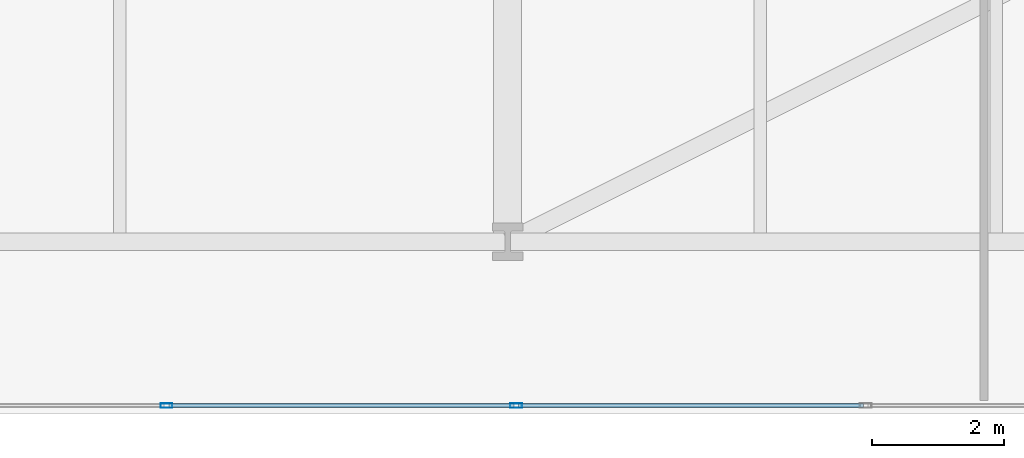
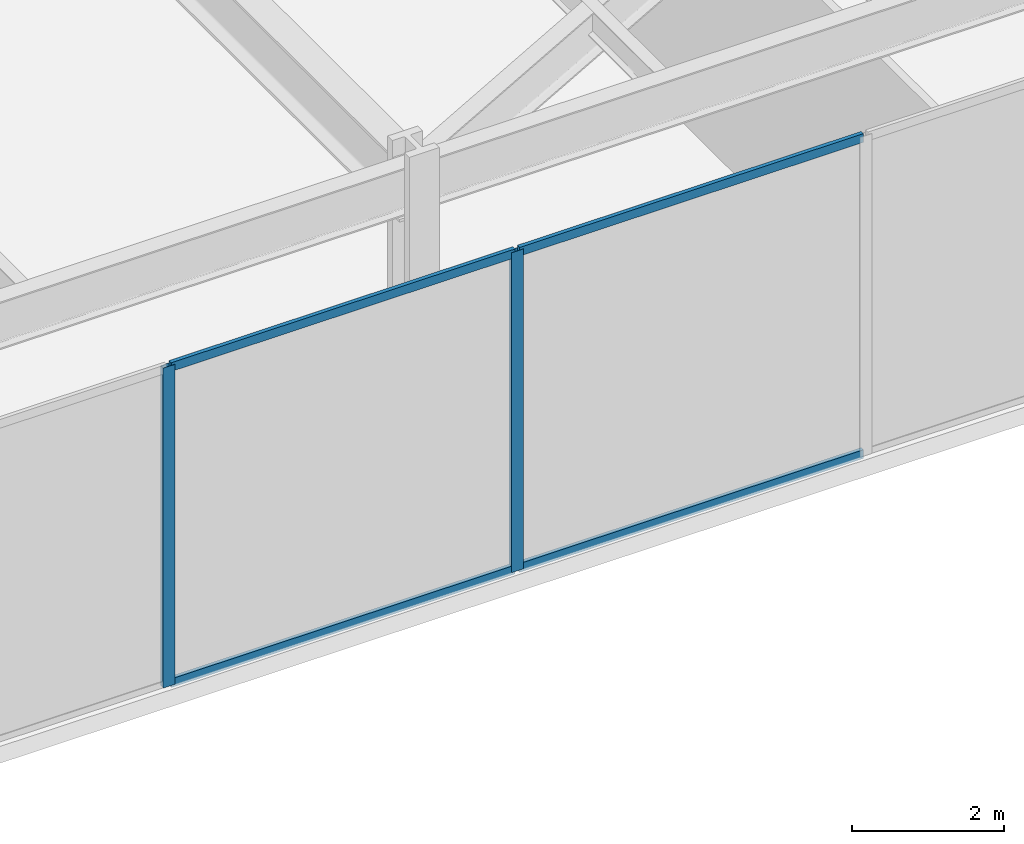
# One storey, part 14 of 29: 6 members, 1 element without a shape of its own.
"""IFC4 building model written with IfcOpenShell, lengths in metres."""

from ifc_helpers import new_model, si_unit, direction, frame, origin, origin_2d, place, context, subcontext, project, spatial, hollow_rectangle, extrude, material, layer, layer_set, material_profile, profile_set, type_object, element, aggregate, save


model = new_model("IFC4")

# Units and contexts
model_context = context("Model", 3, precision=1e-05, world=origin(), true_north=direction((0.0, 1.0)))
body_context = subcontext(model_context, "Body", "Model", "MODEL_VIEW")
ifc_project = project(units=[si_unit("LENGTHUNIT", "METRE"), si_unit("AREAUNIT", "SQUARE_METRE"), si_unit("VOLUMEUNIT", "CUBIC_METRE"), si_unit("PLANEANGLEUNIT", "RADIAN"), si_unit("MASSUNIT", "GRAM", prefix="KILO")], contexts=[model_context])

# Site, building, storey
site_placement = place(None, origin())
site = spatial("IfcSite", under=ifc_project, at=site_placement, CompositionType="ELEMENT")
building_placement = place(site_placement, origin())
building = spatial("IfcBuilding", under=site, at=building_placement, Name="Kravanh Interchange Tower", CompositionType="ELEMENT")
storey_placement = place(building_placement, frame((0.0, 0.0, 5.39990234375)))
storey = spatial("IfcBuildingStorey", under=building, at=storey_placement, Name="L01", CompositionType="ELEMENT", Elevation=5.39990234375)

# Curtain wall, members
ifc_material_1 = material(Name="Anodised Bronze Aluminium", Category="aluminium")
ifc_layer = layer(ifc_material_1, 0.179931640625)
ifc_layer_set = layer_set([ifc_layer], Name="Unitised Curtain Wall System CW-POD Podium Concourse")
curtain_wall_type = type_object("IfcCurtainWallType", Name="Unitised Curtain Wall System CW-POD Podium Concourse", PredefinedType="NOTDEFINED", material=ifc_layer_set)
curtain_wall_placement = place(storey_placement, origin())
curtain_wall = element("IfcCurtainWall", 1, at=curtain_wall_placement, inside=storey, type_object=curtain_wall_type, Name="L01 Unitised Curtain Wall CW-L01-04", PredefinedType="NOTDEFINED")
ifc_material_2 = material(Name="Anodised Bronze Aluminium", Category="aluminium")
ifc_material_profile_1 = material_profile(ifc_material_2, hollow_rectangle(XDim=0.070068359375, YDim=0.179931640625, WallThickness=0.00390625, at=origin_2d()), Name="ALU70X180X4")
ifc_profile_set_1 = profile_set([ifc_material_profile_1], Name="Anodised Bronze Aluminium")
member_type_1 = type_object("IfcMemberType", Name="Curtain Wall Mullion ALU70X180X4 Bronze", PredefinedType="MULLION", material=ifc_profile_set_1)
member_1_placement = place(storey_placement, frame((44.927001953125, 0.1201171875, 0.0), z_axis=(0.0, 0.0, 1.0), x_axis=(0.0, -1.0, 0.0)))
member_1 = element("IfcMember", 2, at=member_1_placement, type_object=member_type_1, Name="CW-POD mullion 6", PredefinedType="MULLION", context=body_context, shape_type="SweptSolid", body=[
    extrude(hollow_rectangle(XDim=0.070068359375, YDim=0.179931640625, WallThickness=0.00390625, at=origin_2d()), origin(), (0.0, 0.0, 1.0), 5.130126953125),
])
member_2_placement = place(storey_placement, frame((39.642333984375, 0.1201171875, 0.0), z_axis=(0.0, 0.0, 1.0), x_axis=(0.0, -1.0, 0.0)))
member_2 = element("IfcMember", 3, at=member_2_placement, type_object=member_type_1, Name="CW-POD mullion 7", PredefinedType="MULLION", context=body_context, shape_type="SweptSolid", body=[
    extrude(hollow_rectangle(XDim=0.070068359375, YDim=0.179931640625, WallThickness=0.00390625, at=origin_2d()), origin(), (0.0, 0.0, 1.0), 5.130126953125),
])
ifc_material_3 = material(Name="Anodised Bronze Aluminium", Category="aluminium")
ifc_material_profile_2 = material_profile(ifc_material_3, hollow_rectangle(XDim=0.06005859375, YDim=0.139892578125, WallThickness=0.00390625, at=origin_2d()), Name="ALU60X140X4")
ifc_profile_set_2 = profile_set([ifc_material_profile_2], Name="Anodised Bronze Aluminium")
member_type_2 = type_object("IfcMemberType", Name="Curtain Wall Transom ALU60X140X4 Bronze", PredefinedType="USERDEFINED", material=ifc_profile_set_2)
member_3_placement = place(storey_placement, frame((50.1767578125, 0.1201171875, 0.030029296875), z_axis=(-1.0, 0.0, 0.0), x_axis=(0.0, -1.0, 0.0)))
member_3 = element("IfcMember", 4, at=member_3_placement, type_object=member_type_2, Name="CW-POD transom 5.1", ObjectType="TRANSOM", PredefinedType="USERDEFINED", context=body_context, shape_type="SweptSolid", body=[
    extrude(hollow_rectangle(XDim=0.06005859375, YDim=0.139892578125, WallThickness=0.00390625, at=origin_2d()), origin(), (0.0, 0.0, 1.0), 5.21484375),
])
member_4_placement = place(storey_placement, frame((50.1767578125, 0.1201171875, 5.10009765625), z_axis=(-1.0, 0.0, 0.0), x_axis=(0.0, -1.0, 0.0)))
member_4 = element("IfcMember", 5, at=member_4_placement, type_object=member_type_2, Name="CW-POD transom 5.2", ObjectType="TRANSOM", PredefinedType="USERDEFINED", context=body_context, shape_type="SweptSolid", body=[
    extrude(hollow_rectangle(XDim=0.06005859375, YDim=0.139892578125, WallThickness=0.00390625, at=origin_2d()), origin(), (0.0, 0.0, 1.0), 5.21484375),
])
member_5_placement = place(storey_placement, frame((44.89208984375, 0.1201171875, 0.030029296875), z_axis=(-1.0, 0.0, 0.0), x_axis=(0.0, -1.0, 0.0)))
member_5 = element("IfcMember", 6, at=member_5_placement, type_object=member_type_2, Name="CW-POD transom 6.1", ObjectType="TRANSOM", PredefinedType="USERDEFINED", context=body_context, shape_type="SweptSolid", body=[
    extrude(hollow_rectangle(XDim=0.06005859375, YDim=0.139892578125, WallThickness=0.00390625, at=origin_2d()), origin(), (0.0, 0.0, 1.0), 5.21484375),
])
member_6_placement = place(storey_placement, frame((44.89208984375, 0.1201171875, 5.10009765625), z_axis=(-1.0, 0.0, 0.0), x_axis=(0.0, -1.0, 0.0)))
member_6 = element("IfcMember", 7, at=member_6_placement, type_object=member_type_2, Name="CW-POD transom 6.2", ObjectType="TRANSOM", PredefinedType="USERDEFINED", context=body_context, shape_type="SweptSolid", body=[
    extrude(hollow_rectangle(XDim=0.06005859375, YDim=0.139892578125, WallThickness=0.00390625, at=origin_2d()), origin(), (0.0, 0.0, 1.0), 5.21484375),
])
aggregate(curtain_wall, [member_1, member_2, member_3, member_4, member_5, member_6])

save(model, "model.ifc")
